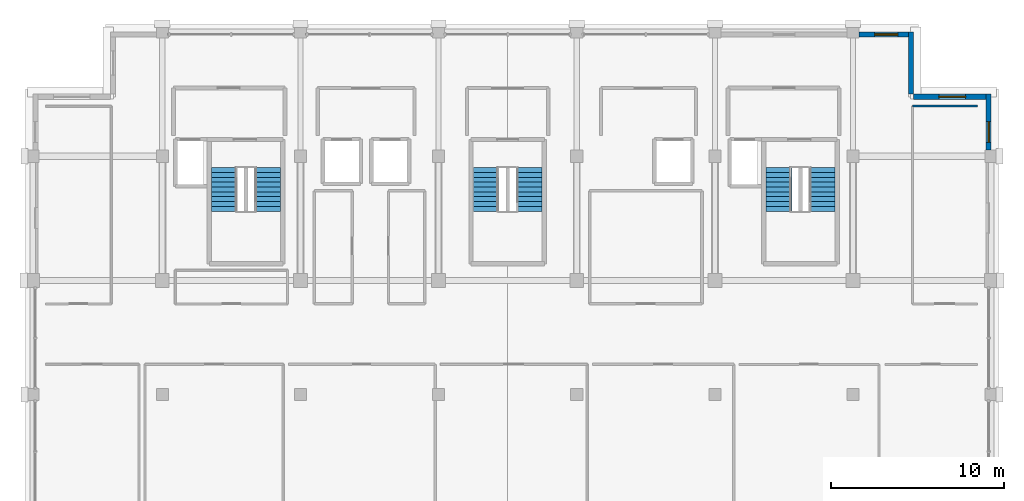
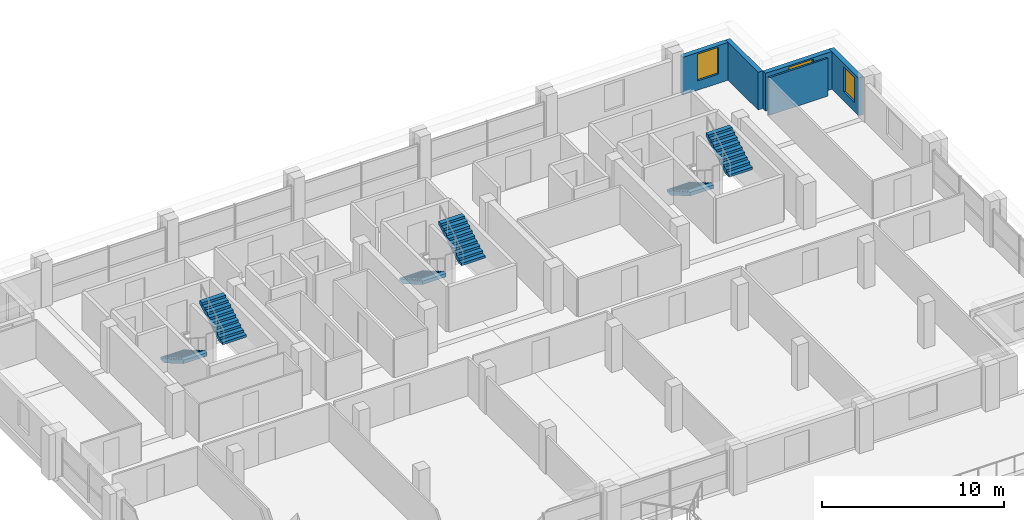
# One storey, part 19 of 21: 6 stair flights, 5 walls, 3 windows, 3 openings, 3 elements without a shape of their own.
"""IFC4 building model written with IfcOpenShell, lengths in metres."""

from ifc_helpers import new_model, si_unit, direction, frame, frame_2d, origin, place, context, subcontext, project, spatial, polyline, rectangle, outline, extrude, material, layer, layer_set, type_object, element, fill, aggregate, save


model = new_model("IFC4")

# Units and contexts
model_context = context("Model", 3, precision=1e-05, world=origin(), true_north=direction((0.0, 1.0)))
body_context = subcontext(model_context, "Body", "Model", "MODEL_VIEW")
ifc_project = project(units=[si_unit("LENGTHUNIT", "METRE"), si_unit("AREAUNIT", "SQUARE_METRE"), si_unit("VOLUMEUNIT", "CUBIC_METRE"), si_unit("PLANEANGLEUNIT", "RADIAN"), si_unit("MASSUNIT", "GRAM", prefix="KILO")], contexts=[model_context])

# Site, building, storey
site_placement = place(None, origin())
site = spatial("IfcSite", under=ifc_project, at=site_placement, CompositionType="ELEMENT")
building_placement = place(site_placement, origin())
building = spatial("IfcBuilding", under=site, at=building_placement, Name="Akrevak Sports Hall", CompositionType="ELEMENT")
storey_placement = place(building_placement, frame((0.0, 0.0, 53.550048828125)))
storey = spatial("IfcBuildingStorey", under=building, at=storey_placement, Name="L13", CompositionType="ELEMENT", Elevation=53.550048828125)

# Wall, opening, window
ifc_material_1 = material(Name="Limestone Ashlar", Category="stone")
ifc_layer_1 = layer(ifc_material_1, 0.06005859375, Name="Limestone Ashlar")
ifc_material_2 = material(Name="Mineral Wool Thermal Insulation", Category="insulation")
ifc_layer_2 = layer(ifc_material_2, 0.090087890625, Name="Mineral Wool Thermal Insulation")
ifc_material_3 = material(Name="Concrete C40/50", Category="concrete")
ifc_layer_3 = layer(ifc_material_3, 0.14990234375, Name="Concrete C40/50")
ifc_layer_set_1 = layer_set([ifc_layer_1, ifc_layer_2, ifc_layer_3], Name="Limestone Ashlar / Mineral Wool Thermal Insulation / Concrete C40/50")
wall_type_1 = type_object("IfcWallType", Name="ARC-WL-EXT-300", PredefinedType="SOLIDWALL", material=ifc_layer_set_1)
wall_1_placement = place(storey_placement, frame((107.85009765625, 62.75, 0.0), z_axis=(0.0, 0.0, 1.0), x_axis=(0.0, 1.0, 0.0)))
wall_1 = element("IfcWall", 1, at=wall_1_placement, inside=storey, type_object=wall_type_1, Name="Tower Stone Facade Wall L13-E14", PredefinedType="SOLIDWALL", context=body_context, shape_type="SweptSolid", body=[
    extrude(rectangle(XDim=3.25, YDim=0.300048828125, at=frame_2d((1.625, 0.0))), origin(), (0.0, 0.0, 1.0), 2.530029296875),
])
opening_1_placement = place(wall_1_placement, frame((0.449951171875, 0.0, 0.6201171875)))
opening_1 = element("IfcOpeningElement", 2, at=opening_1_placement, cuts=wall_1, Name="Opening WN-45", PredefinedType="OPENING", context=body_context, shape_type="SweptSolid", body=[
    extrude(rectangle(XDim=1.199951171875, YDim=1.64990234375, at=frame_2d((0.60009765625, 0.824951171875))), frame((0.0, 0.162109375, 0.0), z_axis=(0.0, -1.0, 0.0), x_axis=(1.0, 0.0, 0.0)), (0.0, 0.0, 1.0), 0.323974609375),
])
ifc_material_4 = material(Name="Thermally Broken Bronze Frame & Double Low-E Glass", Category="glass")
window_type_1 = type_object("IfcWindowType", Name="ARC-WIN-SZ-1200x1650", PartitioningType="SINGLE_PANEL", PredefinedType="WINDOW", material=ifc_material_4)
window_1_placement = place(opening_1_placement, origin())
window_1 = element("IfcWindow", 3, at=window_1_placement, inside=storey, type_object=window_type_1, Name="Tower Window L13-E14", OverallHeight=1.64990234375, OverallWidth=1.199951171875, PartitioningType="SINGLE_PANEL", PredefinedType="WINDOW", context=body_context, shape_type="SweptSolid", body=[
    extrude(rectangle(XDim=1.199951171875, YDim=1.64990234375, at=frame_2d((0.60009765625, 0.824951171875))), frame((0.0, 0.030029296875, 0.0), z_axis=(0.0, -1.0, 0.0), x_axis=(1.0, 0.0, 0.0)), (0.0, 0.0, 1.0), 0.06005859375),
])
fill(opening_1, window_1)

wall_2_placement = place(storey_placement, frame((108.0, 65.85009765625, 0.0), z_axis=(0.0, 0.0, 1.0), x_axis=(-1.0, 0.0, 0.0)))
wall_2 = element("IfcWall", 4, at=wall_2_placement, inside=storey, type_object=wall_type_1, Name="Tower Stone Facade Wall L13-N15", PredefinedType="SOLIDWALL", context=body_context, shape_type="SweptSolid", body=[
    extrude(rectangle(XDim=4.5, YDim=0.300048828125, at=frame_2d((2.25, 0.0))), origin(), (0.0, 0.0, 1.0), 2.530029296875),
])
opening_2_placement = place(wall_2_placement, frame((1.47509765625, 0.0, 0.6201171875)))
opening_2 = element("IfcOpeningElement", 5, at=opening_2_placement, cuts=wall_2, Name="Opening WN-50", PredefinedType="OPENING", context=body_context, shape_type="SweptSolid", body=[
    extrude(rectangle(XDim=1.550048828125, YDim=1.81005859375, at=frame_2d((0.77490234375, 0.905029296875))), frame((0.0, 0.162109375, 0.0), z_axis=(0.0, -1.0, 0.0), x_axis=(1.0, 0.0, 0.0)), (0.0, 0.0, 1.0), 0.323974609375),
])
window_type_2 = type_object("IfcWindowType", Name="ARC-WIN-SZ-1550x1810", PartitioningType="SINGLE_PANEL", PredefinedType="WINDOW", material=ifc_material_4)
window_2_placement = place(opening_2_placement, origin())
window_2 = element("IfcWindow", 6, at=window_2_placement, inside=storey, type_object=window_type_2, Name="Tower Window L13-N15", OverallHeight=1.81005859375, OverallWidth=1.550048828125, PartitioningType="SINGLE_PANEL", PredefinedType="WINDOW", context=body_context, shape_type="SweptSolid", body=[
    extrude(rectangle(XDim=1.550048828125, YDim=1.81005859375, at=frame_2d((0.77490234375, 0.905029296875))), frame((0.0, 0.030029296875, 0.0), z_axis=(0.0, -1.0, 0.0), x_axis=(1.0, 0.0, 0.0)), (0.0, 0.0, 1.0), 0.06005859375),
])
fill(opening_2, window_2)

# Wall
wall_3_placement = place(storey_placement, frame((103.35009765625, 66.0, 0.0), z_axis=(0.0, 0.0, 1.0), x_axis=(0.0, 1.0, 0.0)))
element("IfcWall", 7, at=wall_3_placement, inside=storey, type_object=wall_type_1, Name="Tower Stone Facade Wall L13-E16", PredefinedType="SOLIDWALL", context=body_context, shape_type="SweptSolid", body=[
    extrude(rectangle(XDim=3.60009765625, YDim=0.300048828125, at=frame_2d((1.800048828125, 0.0))), origin(), (0.0, 0.0, 1.0), 2.530029296875),
])

# Wall, opening, window
wall_4_placement = place(storey_placement, frame((103.5, 69.449951171875, 0.0), z_axis=(0.0, 0.0, 1.0), x_axis=(-1.0, 0.0, 0.0)))
wall_4 = element("IfcWall", 8, at=wall_4_placement, inside=storey, type_object=wall_type_1, Name="Tower Stone Facade Wall L13-N17", PredefinedType="SOLIDWALL", context=body_context, shape_type="SweptSolid", body=[
    extrude(rectangle(XDim=3.14990234375, YDim=0.300048828125, at=frame_2d((1.574951171875, 0.0))), origin(), (0.0, 0.0, 1.0), 2.530029296875),
])
opening_3_placement = place(wall_4_placement, frame((0.89990234375, 0.0, 0.6201171875)))
opening_3 = element("IfcOpeningElement", 9, at=opening_3_placement, cuts=wall_4, Name="Opening WN-19", PredefinedType="OPENING", context=body_context, shape_type="SweptSolid", body=[
    extrude(rectangle(XDim=1.35009765625, YDim=1.800048828125, at=frame_2d((0.675048828125, 0.89990234375))), frame((0.0, 0.162109375, 0.0), z_axis=(0.0, -1.0, 0.0), x_axis=(1.0, 0.0, 0.0)), (0.0, 0.0, 1.0), 0.323974609375),
])
window_type_3 = type_object("IfcWindowType", Name="ARC-WIN-TW-135x180", PartitioningType="SINGLE_PANEL", PredefinedType="WINDOW", material=ifc_material_4)
window_3_placement = place(opening_3_placement, origin())
window_3 = element("IfcWindow", 10, at=window_3_placement, inside=storey, type_object=window_type_3, Name="Tower Window L13-N17", OverallHeight=1.800048828125, OverallWidth=1.35009765625, PartitioningType="SINGLE_PANEL", PredefinedType="WINDOW", context=body_context, shape_type="SweptSolid", body=[
    extrude(rectangle(XDim=1.35009765625, YDim=1.800048828125, at=frame_2d((0.675048828125, 0.89990234375))), frame((0.0, 0.030029296875, 0.0), z_axis=(0.0, -1.0, 0.0), x_axis=(1.0, 0.0, 0.0)), (0.0, 0.0, 1.0), 0.06005859375),
])
fill(opening_3, window_3)

# Wall
ifc_material_5 = material(Name="Standard Metal Stud Partition", Category="gypsum")
ifc_layer_4 = layer(ifc_material_5, 0.1201171875, Name="Standard Metal Stud Partition")
ifc_layer_set_2 = layer_set([ifc_layer_4], Name="Standard Metal Stud Partition")
wall_type_2 = type_object("IfcWallType", Name="ARC-WL-PRT-120", PredefinedType="PARTITIONING", material=ifc_layer_set_2)
wall_5_placement = place(storey_placement, frame((103.449951171875, 65.300048828125, 0.0), z_axis=(0.0, 0.0, 1.0), x_axis=(1.0, 0.0, 0.0)))
element("IfcWall", 11, at=wall_5_placement, inside=storey, type_object=wall_type_2, Name="Interior Partition Sports Science Research Office (L13) (N)", PredefinedType="PARTITIONING", context=body_context, shape_type="SweptSolid", body=[
    extrude(rectangle(XDim=3.75, YDim=0.1201171875, at=frame_2d((1.875, 0.0))), origin(), (0.0, 0.0, 1.0), 2.530029296875),
])

# Stair, stair flights
stair_type = type_object("IfcStairType", Name="ARC-STR-DOG-325", PredefinedType="HALF_TURN_STAIR", material=ifc_material_3)
stair_1_placement = place(storey_placement, origin())
stair_1 = element("IfcStair", 12, at=stair_1_placement, inside=storey, type_object=stair_type, Name="Protected Exit Stair ST1 (L13 to L14)", PredefinedType="HALF_TURN_STAIR")
stair_flight_type = type_object("IfcStairFlightType", Name="ARC-FLT-165-163", PredefinedType="STRAIGHT", material=ifc_material_3)
stair_flight_1_placement = place(storey_placement, frame((63.610107421875, 61.735107421875, 0.0), z_axis=(0.0, 0.0, 1.0), x_axis=(0.0, -1.0, 0.0)))
stair_flight_1 = element("IfcStairFlight", 13, at=stair_flight_1_placement, type_object=stair_flight_type, Name="Stair ST1 Flight 1 (L13)", NumberOfRisers=10, NumberOfTreads=9, PredefinedType="STRAIGHT", RiserHeight=0.1625, TreadLength=0.28, context=body_context, shape_type="SweptSolid", body=[
    extrude(outline(polyline([(0.0, 0.0), (0.0, 0.16259765625), (0.280029296875, 0.16259765625), (0.280029296875, 0.324951171875), (0.56005859375, 0.324951171875), (0.56005859375, 0.487548828125), (0.840087890625, 0.487548828125), (0.840087890625, 0.64990234375), (1.1201171875, 0.64990234375), (1.1201171875, 0.8125), (1.39990234375, 0.8125), (1.39990234375, 0.97509765625), (1.679931640625, 0.97509765625), (1.679931640625, 1.137451171875), (1.9599609375, 1.137451171875), (1.9599609375, 1.300048828125), (2.239990234375, 1.300048828125), (2.239990234375, 1.46240234375), (2.52001953125, 1.46240234375), (2.52001953125, 1.625), (2.52001953125, 1.231201171875), (0.3984375, 0.0), (0.0, 0.0)])), frame((0.0, 0.75, 0.0), z_axis=(0.0, -1.0, 0.0), x_axis=(1.0, 0.0, 0.0)), (0.0, 0.0, 1.0), 1.5),
])
stair_flight_2_placement = place(storey_placement, frame((66.090087890625, 59.215087890625, 1.625), z_axis=(0.0, 0.0, 1.0), x_axis=(0.0, 1.0, 0.0)))
stair_flight_2 = element("IfcStairFlight", 14, at=stair_flight_2_placement, type_object=stair_flight_type, Name="Stair ST1 Flight 2 (L13)", NumberOfRisers=10, NumberOfTreads=9, PredefinedType="STRAIGHT", RiserHeight=0.1625, TreadLength=0.28, context=body_context, shape_type="SweptSolid", body=[
    extrude(outline(polyline([(0.0, 0.0), (0.0, 0.16259765625), (0.280029296875, 0.16259765625), (0.280029296875, 0.324951171875), (0.56005859375, 0.324951171875), (0.56005859375, 0.487548828125), (0.840087890625, 0.487548828125), (0.840087890625, 0.64990234375), (1.1201171875, 0.64990234375), (1.1201171875, 0.8125), (1.39990234375, 0.8125), (1.39990234375, 0.97509765625), (1.679931640625, 0.97509765625), (1.679931640625, 1.137451171875), (1.9599609375, 1.137451171875), (1.9599609375, 1.300048828125), (2.239990234375, 1.300048828125), (2.239990234375, 1.46240234375), (2.52001953125, 1.46240234375), (2.52001953125, 1.625), (2.52001953125, 1.231201171875), (0.3984375, 0.0), (0.0, 0.0)])), frame((0.0, 0.75, 0.0), z_axis=(0.0, -1.0, 0.0), x_axis=(1.0, 0.0, 0.0)), (0.0, 0.0, 1.0), 1.5),
])
aggregate(stair_1, [stair_flight_1, stair_flight_2])

stair_2_placement = place(storey_placement, origin())
stair_2 = element("IfcStair", 15, at=stair_2_placement, inside=storey, type_object=stair_type, Name="Protected Exit Stair ST2 (L13 to L14)", PredefinedType="HALF_TURN_STAIR")
stair_flight_3_placement = place(storey_placement, frame((95.7099609375, 61.735107421875, 0.0), z_axis=(0.0, 0.0, 1.0), x_axis=(0.0, -1.0, 0.0)))
stair_flight_3 = element("IfcStairFlight", 16, at=stair_flight_3_placement, type_object=stair_flight_type, Name="Stair ST2 Flight 1 (L13)", NumberOfRisers=10, NumberOfTreads=9, PredefinedType="STRAIGHT", RiserHeight=0.1625, TreadLength=0.28, context=body_context, shape_type="SweptSolid", body=[
    extrude(outline(polyline([(0.0, 0.0), (0.0, 0.16259765625), (0.280029296875, 0.16259765625), (0.280029296875, 0.324951171875), (0.56005859375, 0.324951171875), (0.56005859375, 0.487548828125), (0.840087890625, 0.487548828125), (0.840087890625, 0.64990234375), (1.1201171875, 0.64990234375), (1.1201171875, 0.8125), (1.39990234375, 0.8125), (1.39990234375, 0.97509765625), (1.679931640625, 0.97509765625), (1.679931640625, 1.137451171875), (1.9599609375, 1.137451171875), (1.9599609375, 1.300048828125), (2.239990234375, 1.300048828125), (2.239990234375, 1.46240234375), (2.52001953125, 1.46240234375), (2.52001953125, 1.625), (2.52001953125, 1.231201171875), (0.3984375, 0.0), (0.0, 0.0)])), frame((0.0, 0.75, 0.0), z_axis=(0.0, -1.0, 0.0), x_axis=(1.0, 0.0, 0.0)), (0.0, 0.0, 1.0), 1.5),
])
stair_flight_4_placement = place(storey_placement, frame((98.18994140625, 59.215087890625, 1.625), z_axis=(0.0, 0.0, 1.0), x_axis=(0.0, 1.0, 0.0)))
stair_flight_4 = element("IfcStairFlight", 17, at=stair_flight_4_placement, type_object=stair_flight_type, Name="Stair ST2 Flight 2 (L13)", NumberOfRisers=10, NumberOfTreads=9, PredefinedType="STRAIGHT", RiserHeight=0.1625, TreadLength=0.28, context=body_context, shape_type="SweptSolid", body=[
    extrude(outline(polyline([(0.0, 0.0), (0.0, 0.16259765625), (0.280029296875, 0.16259765625), (0.280029296875, 0.324951171875), (0.56005859375, 0.324951171875), (0.56005859375, 0.487548828125), (0.840087890625, 0.487548828125), (0.840087890625, 0.64990234375), (1.1201171875, 0.64990234375), (1.1201171875, 0.8125), (1.39990234375, 0.8125), (1.39990234375, 0.97509765625), (1.679931640625, 0.97509765625), (1.679931640625, 1.137451171875), (1.9599609375, 1.137451171875), (1.9599609375, 1.300048828125), (2.239990234375, 1.300048828125), (2.239990234375, 1.46240234375), (2.52001953125, 1.46240234375), (2.52001953125, 1.625), (2.52001953125, 1.231201171875), (0.3984375, 0.0), (0.0, 0.0)])), frame((0.0, 0.75, 0.0), z_axis=(0.0, -1.0, 0.0), x_axis=(1.0, 0.0, 0.0)), (0.0, 0.0, 1.0), 1.5),
])
aggregate(stair_2, [stair_flight_3, stair_flight_4])

stair_3_placement = place(storey_placement, origin())
stair_3 = element("IfcStair", 18, at=stair_3_placement, inside=storey, type_object=stair_type, Name="Protected Exit Stair ST3 (L13 to L14)", PredefinedType="HALF_TURN_STAIR")
stair_flight_5_placement = place(storey_placement, frame((78.760009765625, 61.735107421875, 0.0), z_axis=(0.0, 0.0, 1.0), x_axis=(0.0, -1.0, 0.0)))
stair_flight_5 = element("IfcStairFlight", 19, at=stair_flight_5_placement, type_object=stair_flight_type, Name="Stair ST3 Flight 1 (L13)", NumberOfRisers=10, NumberOfTreads=9, PredefinedType="STRAIGHT", RiserHeight=0.1625, TreadLength=0.28, context=body_context, shape_type="SweptSolid", body=[
    extrude(outline(polyline([(0.0, 0.0), (0.0, 0.16259765625), (0.280029296875, 0.16259765625), (0.280029296875, 0.324951171875), (0.56005859375, 0.324951171875), (0.56005859375, 0.487548828125), (0.840087890625, 0.487548828125), (0.840087890625, 0.64990234375), (1.1201171875, 0.64990234375), (1.1201171875, 0.8125), (1.39990234375, 0.8125), (1.39990234375, 0.97509765625), (1.679931640625, 0.97509765625), (1.679931640625, 1.137451171875), (1.9599609375, 1.137451171875), (1.9599609375, 1.300048828125), (2.239990234375, 1.300048828125), (2.239990234375, 1.46240234375), (2.52001953125, 1.46240234375), (2.52001953125, 1.625), (2.52001953125, 1.231201171875), (0.3984375, 0.0), (0.0, 0.0)])), frame((0.0, 0.75, 0.0), z_axis=(0.0, -1.0, 0.0), x_axis=(1.0, 0.0, 0.0)), (0.0, 0.0, 1.0), 1.5),
])
stair_flight_6_placement = place(storey_placement, frame((81.239990234375, 59.215087890625, 1.625), z_axis=(0.0, 0.0, 1.0), x_axis=(0.0, 1.0, 0.0)))
stair_flight_6 = element("IfcStairFlight", 20, at=stair_flight_6_placement, type_object=stair_flight_type, Name="Stair ST3 Flight 2 (L13)", NumberOfRisers=10, NumberOfTreads=9, PredefinedType="STRAIGHT", RiserHeight=0.1625, TreadLength=0.28, context=body_context, shape_type="SweptSolid", body=[
    extrude(outline(polyline([(0.0, 0.0), (0.0, 0.16259765625), (0.280029296875, 0.16259765625), (0.280029296875, 0.324951171875), (0.56005859375, 0.324951171875), (0.56005859375, 0.487548828125), (0.840087890625, 0.487548828125), (0.840087890625, 0.64990234375), (1.1201171875, 0.64990234375), (1.1201171875, 0.8125), (1.39990234375, 0.8125), (1.39990234375, 0.97509765625), (1.679931640625, 0.97509765625), (1.679931640625, 1.137451171875), (1.9599609375, 1.137451171875), (1.9599609375, 1.300048828125), (2.239990234375, 1.300048828125), (2.239990234375, 1.46240234375), (2.52001953125, 1.46240234375), (2.52001953125, 1.625), (2.52001953125, 1.231201171875), (0.3984375, 0.0), (0.0, 0.0)])), frame((0.0, 0.75, 0.0), z_axis=(0.0, -1.0, 0.0), x_axis=(1.0, 0.0, 0.0)), (0.0, 0.0, 1.0), 1.5),
])
aggregate(stair_3, [stair_flight_5, stair_flight_6])

save(model, "model.ifc")
